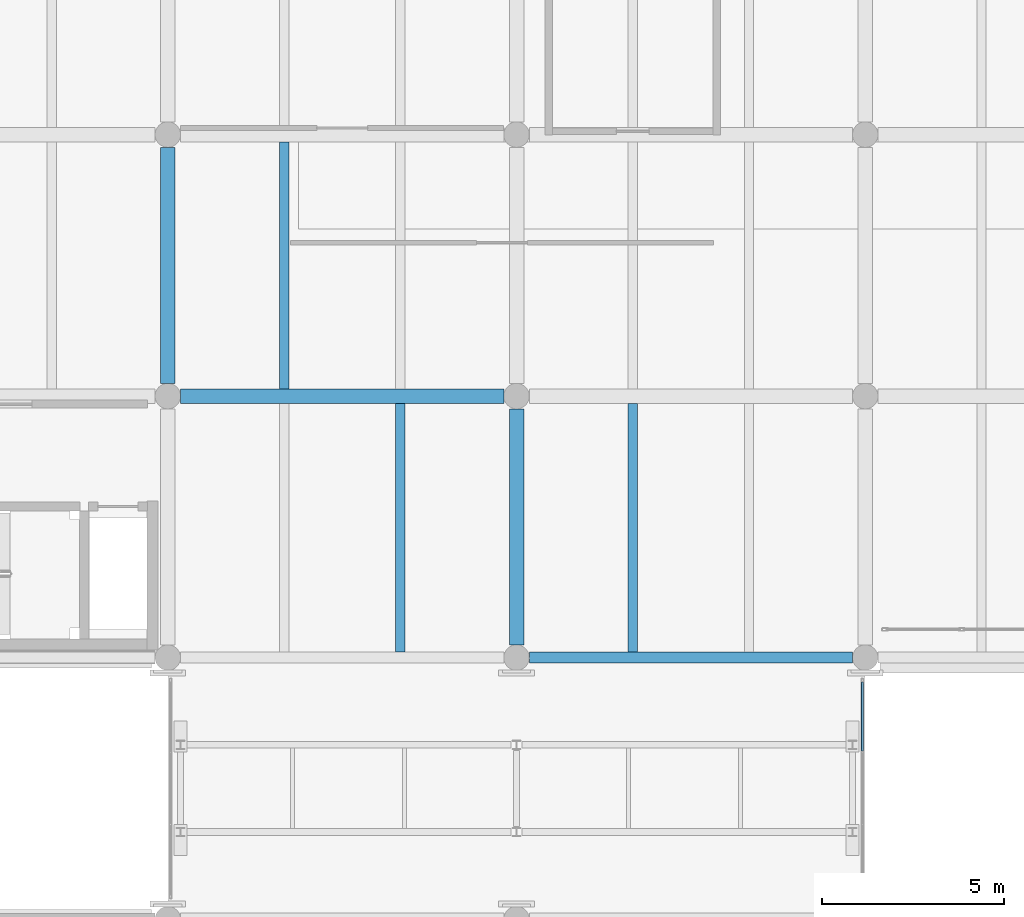
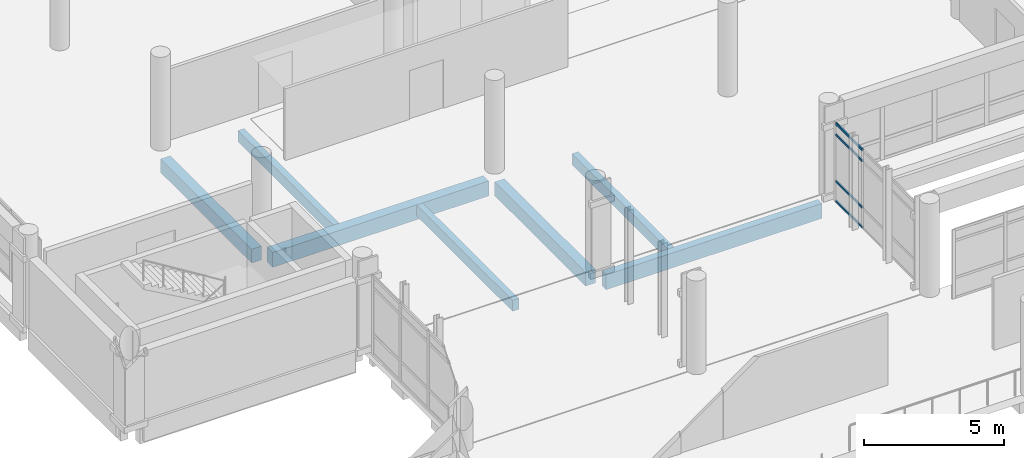
# One storey, part 36 of 180: 7 beams, 4 members, 1 element without a shape of its own.
"""IFC4 building model written with IfcOpenShell, lengths in metres."""

from ifc_helpers import new_model, si_unit, direction, frame, origin, origin_2d, place, context, subcontext, project, spatial, rectangle, hollow_rectangle, extrude, material, layer, layer_set, material_profile, profile_set, type_object, element, aggregate, save


model = new_model("IFC4")

# Units and contexts
model_context = context("Model", 3, precision=1e-05, world=origin(), true_north=direction((0.0, 1.0)))
body_context = subcontext(model_context, "Body", "Model", "MODEL_VIEW")
ifc_project = project(units=[si_unit("LENGTHUNIT", "METRE"), si_unit("AREAUNIT", "SQUARE_METRE"), si_unit("VOLUMEUNIT", "CUBIC_METRE"), si_unit("PLANEANGLEUNIT", "RADIAN"), si_unit("MASSUNIT", "GRAM", prefix="KILO")], contexts=[model_context])

# Site, building, storey
site_placement = place(None, origin())
site = spatial("IfcSite", under=ifc_project, at=site_placement, CompositionType="ELEMENT")
building_placement = place(site_placement, origin())
building = spatial("IfcBuilding", under=site, at=building_placement, Name="Asteropetra Specialist Clinic", CompositionType="ELEMENT")
storey_placement = place(building_placement, frame((0.0, 0.0, 4.419921875)))
storey = spatial("IfcBuildingStorey", under=building, at=storey_placement, Name="L01", CompositionType="ELEMENT", Elevation=4.419921875)

# Beams
ifc_material_1 = material(Name="Concrete C35/45", Category="concrete")
ifc_material_profile_1 = material_profile(ifc_material_1, rectangle(XDim=0.39990234375, YDim=0.60009765625, at=origin_2d()), Name="RCB 400x600")
ifc_profile_set_1 = profile_set([ifc_material_profile_1], Name="Concrete C35/45")
beam_type_1 = type_object("IfcBeamType", Name="BM-RC400x600", PredefinedType="BEAM", material=ifc_profile_set_1)
for number, where, z_axis, x_axis, name in (
    (1, (19.199951171875, 33.949951171875, -0.599853515625), (0.0, 1.0, 0.0), (-1.0, 0.0, 0.0), "Beam BBM08-0336"),
    (2, (9.60009765625, 41.14990234375, -0.599853515625), (0.0, 1.0, 0.0), (-1.0, 0.0, 0.0), "Beam BBM08-0349"),
):
    element("IfcBeam", number, at=place(storey_placement, frame(where, z_axis=z_axis, x_axis=x_axis)), inside=storey, type_object=beam_type_1, Name=name, PredefinedType="BEAM", context=body_context, shape_type="SweptSolid", body=[
        extrude(rectangle(XDim=0.39990234375, YDim=0.60009765625, at=origin_2d()), origin(), (0.0, 0.0, 1.0), 6.5),
    ])
ifc_material_2 = material(Name="Concrete C35/45", Category="concrete")
ifc_material_profile_2 = material_profile(ifc_material_2, rectangle(XDim=0.39990234375, YDim=0.64990234375, at=origin_2d()), Name="RCB 400x650")
ifc_profile_set_2 = profile_set([ifc_material_profile_2], Name="Concrete C35/45")
beam_type_2 = type_object("IfcBeamType", Name="BM-RC400x650", PredefinedType="BEAM", material=ifc_profile_set_2)
beam_1_placement = place(storey_placement, frame((9.949951171875, 40.800048828125, -0.625), z_axis=(1.0, 0.0, 0.0), x_axis=(0.0, 1.0, 0.0)))
element("IfcBeam", 3, at=beam_1_placement, inside=storey, type_object=beam_type_2, Name="Beam BBM07-0315", PredefinedType="BEAM", context=body_context, shape_type="SweptSolid", body=[
    extrude(rectangle(XDim=0.39990234375, YDim=0.64990234375, at=origin_2d()), origin(), (0.0, 0.0, 1.0), 8.900146484375),
])

# Curtain wall, members
ifc_material_3 = material(Name="Aluminium and low-E glass", Category="aluminium")
ifc_layer = layer(ifc_material_3, 0.14990234375)
ifc_layer_set = layer_set([ifc_layer], Name="Aluminium and low-E glass")
curtain_wall_type = type_object("IfcCurtainWallType", Name="CW-SYS-08", PredefinedType="USERDEFINED", material=ifc_layer_set)
curtain_wall_placement = place(storey_placement, origin())
curtain_wall = element("IfcCurtainWall", 4, at=curtain_wall_placement, inside=storey, type_object=curtain_wall_type, Name="Curtain Wall CW-098", ObjectType="STICK GLAZED COLONNADE", PredefinedType="USERDEFINED")
ifc_material_4 = material(Name="Aluminium 6063-T6", Category="aluminium")
ifc_material_profile_3 = material_profile(ifc_material_4, hollow_rectangle(XDim=0.06005859375, YDim=0.10009765625, WallThickness=0.00341796875, InnerFilletRadius=0.00341796875, OuterFilletRadius=0.007080078125, at=origin_2d()), Name="TRN 100x60x3.5")
ifc_profile_set_3 = profile_set([ifc_material_profile_3], Name="Aluminium 6063-T6")
member_type = type_object("IfcMemberType", Name="CWT-100x60", PredefinedType="USERDEFINED", material=ifc_profile_set_3)
member_1_placement = place(storey_placement, frame((28.719970703125, 32.929931640625, 0.030029296875), z_axis=(0.0, -1.0, 0.0), x_axis=(1.0, 0.0, 0.0)))
member_1 = element("IfcMember", 5, at=member_1_placement, type_object=member_type, Name="CW-098 transom 1.1", ObjectType="TRANSOM", PredefinedType="USERDEFINED", context=body_context, shape_type="SweptSolid", body=[
    extrude(hollow_rectangle(XDim=0.06005859375, YDim=0.10009765625, WallThickness=0.00341796875, InnerFilletRadius=0.00341796875, OuterFilletRadius=0.007080078125, at=origin_2d()), origin(), (0.0, 0.0, 1.0), 1.9033203125),
])
member_2_placement = place(storey_placement, frame((28.719970703125, 32.929931640625, 0.900146484375), z_axis=(0.0, -1.0, 0.0), x_axis=(1.0, 0.0, 0.0)))
member_2 = element("IfcMember", 6, at=member_2_placement, type_object=member_type, Name="CW-098 transom 1.2", ObjectType="TRANSOM", PredefinedType="USERDEFINED", context=body_context, shape_type="SweptSolid", body=[
    extrude(hollow_rectangle(XDim=0.06005859375, YDim=0.10009765625, WallThickness=0.00341796875, InnerFilletRadius=0.00341796875, OuterFilletRadius=0.007080078125, at=origin_2d()), origin(), (0.0, 0.0, 1.0), 1.9033203125),
])
member_3_placement = place(storey_placement, frame((28.719970703125, 32.929931640625, 2.93017578125), z_axis=(0.0, -1.0, 0.0), x_axis=(1.0, 0.0, 0.0)))
member_3 = element("IfcMember", 7, at=member_3_placement, type_object=member_type, Name="CW-098 transom 1.3", ObjectType="TRANSOM", PredefinedType="USERDEFINED", context=body_context, shape_type="SweptSolid", body=[
    extrude(hollow_rectangle(XDim=0.06005859375, YDim=0.10009765625, WallThickness=0.00341796875, InnerFilletRadius=0.00341796875, OuterFilletRadius=0.007080078125, at=origin_2d()), origin(), (0.0, 0.0, 1.0), 1.9033203125),
])
member_4_placement = place(storey_placement, frame((28.719970703125, 32.929931640625, 3.400146484375), z_axis=(0.0, -1.0, 0.0), x_axis=(1.0, 0.0, 0.0)))
member_4 = element("IfcMember", 8, at=member_4_placement, type_object=member_type, Name="CW-098 transom 1.4", ObjectType="TRANSOM", PredefinedType="USERDEFINED", context=body_context, shape_type="SweptSolid", body=[
    extrude(hollow_rectangle(XDim=0.06005859375, YDim=0.10009765625, WallThickness=0.00341796875, InnerFilletRadius=0.00341796875, OuterFilletRadius=0.007080078125, at=origin_2d()), origin(), (0.0, 0.0, 1.0), 1.9033203125),
])
aggregate(curtain_wall, [member_1, member_2, member_3, member_4])

# Beams
ifc_material_5 = material(Name="Concrete C35/45", Category="concrete")
ifc_material_profile_4 = material_profile(ifc_material_5, rectangle(XDim=0.260009765625, YDim=0.47998046875, at=origin_2d()), Name="RCJ 260x480")
ifc_profile_set_4 = profile_set([ifc_material_profile_4], Name="Concrete C35/45")
beam_type_3 = type_object("IfcBeamType", Name="JST-RC260x480", PredefinedType="JOIST", material=ifc_profile_set_4)
for number, where, z_axis, x_axis, name in (
    (9, (16.0, 33.75, -0.5400390625), (0.0, 1.0, 0.0), (-1.0, 0.0, 0.0), "Joist JJST02-0341"),
    (10, (22.39990234375, 33.75, -0.5400390625), (0.0, 1.0, 0.0), (-1.0, 0.0, 0.0), "Joist JJST02-0342"),
):
    element("IfcBeam", number, at=place(storey_placement, frame(where, z_axis=z_axis, x_axis=x_axis)), inside=storey, type_object=beam_type_3, Name=name, PredefinedType="JOIST", context=body_context, shape_type="SweptSolid", body=[
        extrude(rectangle(XDim=0.260009765625, YDim=0.47998046875, at=origin_2d()), origin(), (0.0, 0.0, 1.0), 6.85009765625),
    ])
beam_2_placement = place(storey_placement, frame((12.800048828125, 41.0, -0.5400390625), z_axis=(0.0, 1.0, 0.0), x_axis=(-1.0, 0.0, 0.0)))
element("IfcBeam", 11, at=beam_2_placement, inside=storey, type_object=beam_type_3, Name="Joist JJST02-0356", PredefinedType="JOIST", context=body_context, shape_type="SweptSolid", body=[
    extrude(rectangle(XDim=0.260009765625, YDim=0.47998046875, at=origin_2d()), origin(), (0.0, 0.0, 1.0), 6.800048828125),
])
ifc_material_6 = material(Name="Concrete C35/45", Category="concrete")
ifc_material_profile_5 = material_profile(ifc_material_6, rectangle(XDim=0.300048828125, YDim=0.64990234375, at=origin_2d()), Name="RCS 300x650")
ifc_profile_set_5 = profile_set([ifc_material_profile_5], Name="Concrete C35/45")
beam_type_4 = type_object("IfcBeamType", Name="SPN-RC300x650", PredefinedType="SPANDREL", material=ifc_profile_set_5)
beam_3_placement = place(storey_placement, frame((19.550048828125, 33.60009765625, -0.625), z_axis=(1.0, 0.0, 0.0), x_axis=(0.0, 1.0, 0.0)))
element("IfcBeam", 12, at=beam_3_placement, inside=storey, type_object=beam_type_4, Name="Beam BSPN03-0311", PredefinedType="SPANDREL", context=body_context, shape_type="SweptSolid", body=[
    extrude(rectangle(XDim=0.300048828125, YDim=0.64990234375, at=origin_2d()), origin(), (0.0, 0.0, 1.0), 8.89990234375),
])

save(model, "model.ifc")
